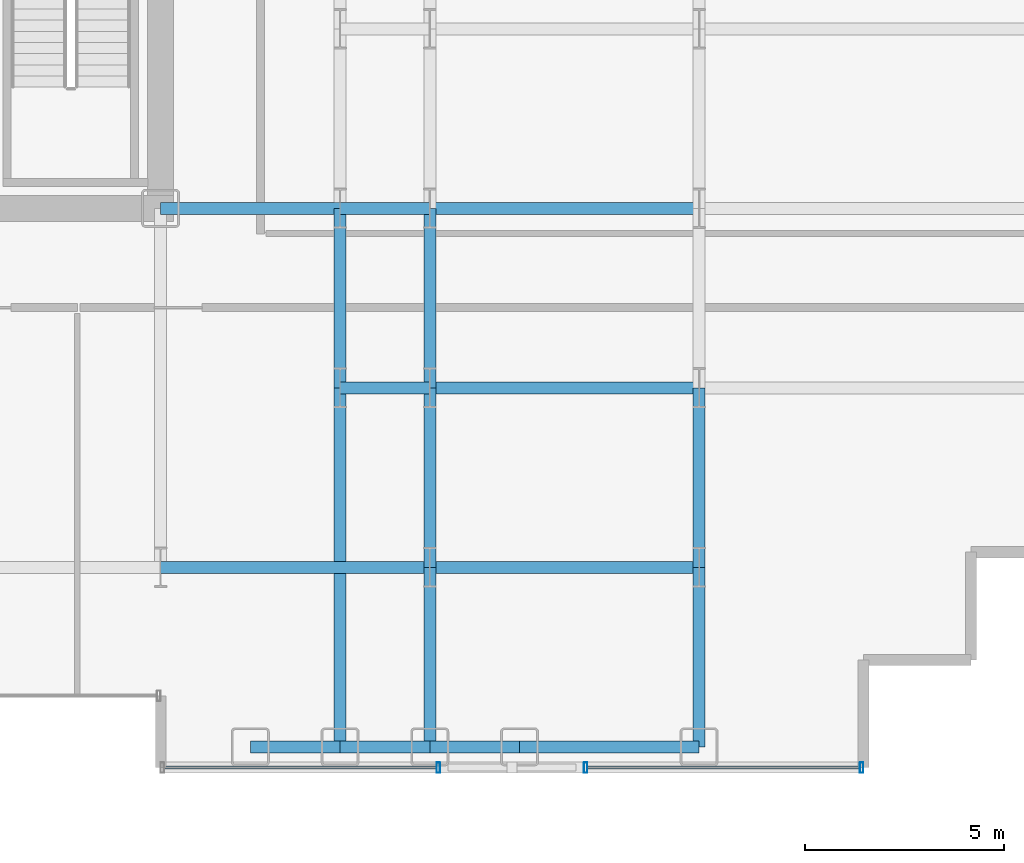
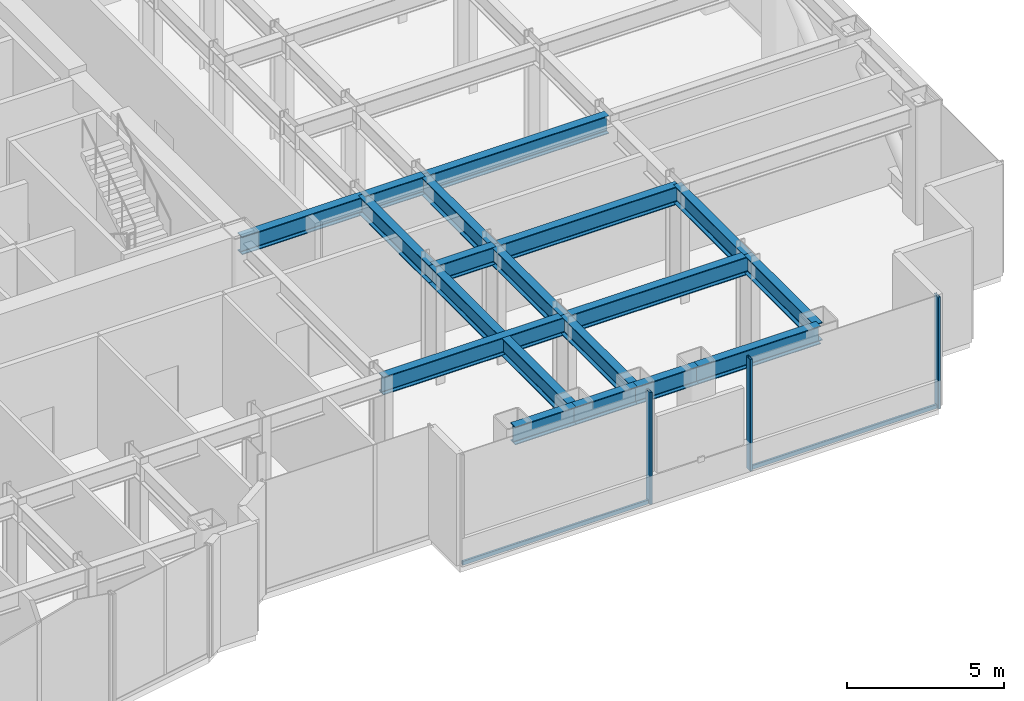
# One storey, part 9 of 30: 18 beams, 5 members, 2 elements without a shape of their own.
"""IFC4 building model written with IfcOpenShell, lengths in metres."""

from ifc_helpers import new_model, si_unit, direction, frame, origin, origin_2d, place, context, subcontext, project, spatial, hollow_rectangle, i_section, extrude, source, transform, mapped, material, layer, layer_set, material_profile, profile_set, type_object, element, aggregate, save


model = new_model("IFC4")

# Units and contexts
model_context = context("Model", 3, precision=1e-05, world=origin(), true_north=direction((0.0, 1.0)))
body_context = subcontext(model_context, "Body", "Model", "MODEL_VIEW")
ifc_project = project(units=[si_unit("LENGTHUNIT", "METRE"), si_unit("AREAUNIT", "SQUARE_METRE"), si_unit("VOLUMEUNIT", "CUBIC_METRE"), si_unit("PLANEANGLEUNIT", "RADIAN"), si_unit("MASSUNIT", "GRAM", prefix="KILO")], contexts=[model_context])

# Site, building, storey
site_placement = place(None, origin())
site = spatial("IfcSite", under=ifc_project, at=site_placement, CompositionType="ELEMENT")
building_placement = place(site_placement, origin())
building = spatial("IfcBuilding", under=site, at=building_placement, Name="Nefas-Gora Pilgrimage Tower", CompositionType="ELEMENT")
storey_placement = place(building_placement, frame((0.0, 0.0, 86.199951171875)))
storey = spatial("IfcBuildingStorey", under=building, at=storey_placement, Name="L20", CompositionType="ELEMENT", Elevation=86.199951171875)

# Beams
ifc_material_1 = material(Name="Steel S355", Category="steel")
ifc_material_profile_1 = material_profile(ifc_material_1, i_section(OverallWidth=0.300048828125, OverallDepth=0.699951171875, WebThickness=0.01708984375, FlangeThickness=0.031982421875, FilletRadius=0.027099609375, at=origin_2d()), Name="HEB 700")
ifc_profile_set_1 = profile_set([ifc_material_profile_1], Name="Steel S355")
beam_type_1 = type_object("IfcBeamType", Name="BM-SPN-HEB600", PredefinedType="SPANDREL", material=ifc_profile_set_1)
shared_shape_1 = source(origin(), body_context, "Body", "SweptSolid", [
    extrude(i_section(OverallWidth=0.300048828125, OverallDepth=0.699951171875, WebThickness=0.01708984375, FlangeThickness=0.031982421875, FilletRadius=0.027099609375, at=origin_2d()), origin(), (0.0, 0.0, 1.0), 4.5),
])
beam_1_placement = place(storey_placement, frame((20.25, -22.5, 4.0), z_axis=(1.0, 0.0, 0.0), x_axis=(0.0, 1.0, 0.0)))
element("IfcBeam", 1, at=beam_1_placement, inside=storey, type_object=beam_type_1, Name="L20 SP-01 beam", PredefinedType="SPANDREL", context=body_context, shape_type="MappedRepresentation", body=[
    mapped(shared_shape_1, transform((0.0, 0.0, 0.0), x_axis=(1.0, 0.0, 0.0), y_axis=(0.0, 1.0, 0.0), z_axis=(0.0, 0.0, 1.0), scale=1.0)),
])
ifc_material_profile_2 = material_profile(ifc_material_1, i_section(OverallWidth=0.300048828125, OverallDepth=0.699951171875, WebThickness=0.01708984375, FlangeThickness=0.031982421875, FilletRadius=0.027099609375, at=origin_2d()), Name="HEB 700")
ifc_profile_set_2 = profile_set([ifc_material_profile_2], Name="Steel S355")
beam_type_2 = type_object("IfcBeamType", Name="BM-GIR-HEB700", PredefinedType="BEAM", material=ifc_profile_set_2)
shared_shape_2 = source(origin(), body_context, "Body", "SweptSolid", [
    extrude(i_section(OverallWidth=0.300048828125, OverallDepth=0.699951171875, WebThickness=0.01708984375, FlangeThickness=0.031982421875, FilletRadius=0.027099609375, at=origin_2d()), origin(), (0.0, 0.0, 1.0), 9.0),
])
beam_2_placement = place(storey_placement, frame((15.75, -22.5, 4.0), z_axis=(0.0, 1.0, 0.0), x_axis=(-1.0, 0.0, 0.0)))
element("IfcBeam", 2, at=beam_2_placement, inside=storey, type_object=beam_type_2, Name="L20 G-02 beam", PredefinedType="BEAM", context=body_context, shape_type="MappedRepresentation", body=[
    mapped(shared_shape_2, transform((0.0, 0.0, 0.0), x_axis=(1.0, 0.0, 0.0), y_axis=(0.0, 1.0, 0.0), z_axis=(0.0, 0.0, 1.0), scale=1.0)),
])
shared_shape_3 = source(origin(), body_context, "Body", "SweptSolid", [
    extrude(i_section(OverallWidth=0.300048828125, OverallDepth=0.699951171875, WebThickness=0.01708984375, FlangeThickness=0.031982421875, FilletRadius=0.027099609375, at=origin_2d()), origin(), (0.0, 0.0, 1.0), 4.5),
])
for number, where, z_axis, x_axis, name in (
    (3, (11.25, -9.0, 4.0), (1.0, 0.0, 0.0), (0.0, 1.0, 0.0), "L20 G-02 beam"),
    (4, (15.75, -13.5, 4.0), (0.0, 1.0, 0.0), (-1.0, 0.0, 0.0), "L20 G-02 beam"),
    (5, (18.0, -22.5, 4.0), (0.0, 1.0, 0.0), (-1.0, 0.0, 0.0), "L20 G-02 beam"),
    (6, (18.0, -18.0, 4.0), (0.0, 1.0, 0.0), (-1.0, 0.0, 0.0), "L20 G-02 beam"),
    (7, (18.0, -13.5, 4.0), (0.0, 1.0, 0.0), (-1.0, 0.0, 0.0), "L20 G-02 beam"),
    (8, (24.75, -22.5, 4.0), (0.0, 1.0, 0.0), (-1.0, 0.0, 0.0), "L20 G-02 beam"),
    (9, (24.75, -18.0, 4.0), (0.0, 1.0, 0.0), (-1.0, 0.0, 0.0), "L20 G-02 beam"),
):
    element("IfcBeam", number, at=place(storey_placement, frame(where, z_axis=z_axis, x_axis=x_axis)), inside=storey, type_object=beam_type_2, Name=name, PredefinedType="BEAM", context=body_context, shape_type="MappedRepresentation", body=[
        mapped(shared_shape_3, transform((0.0, 0.0, 0.0), x_axis=(1.0, 0.0, 0.0), y_axis=(0.0, 1.0, 0.0), z_axis=(0.0, 0.0, 1.0), scale=1.0)),
    ])
shared_shape_4 = source(origin(), body_context, "Body", "SweptSolid", [
    extrude(i_section(OverallWidth=0.300048828125, OverallDepth=0.699951171875, WebThickness=0.01708984375, FlangeThickness=0.031982421875, FilletRadius=0.027099609375, at=origin_2d()), origin(), (0.0, 0.0, 1.0), 6.75),
])
for number, where, z_axis, x_axis, name in (
    (10, (11.25, -18.0, 4.0), (1.0, 0.0, 0.0), (0.0, 1.0, 0.0), "L20 G-02 beam"),
    (11, (18.0, -18.0, 4.0), (1.0, 0.0, 0.0), (0.0, 1.0, 0.0), "L20 G-02 beam"),
    (12, (18.0, -13.5, 4.0), (1.0, 0.0, 0.0), (0.0, 1.0, 0.0), "L20 G-02 beam"),
    (13, (18.0, -9.0, 4.0), (1.0, 0.0, 0.0), (0.0, 1.0, 0.0), "L20 G-02 beam"),
):
    element("IfcBeam", number, at=place(storey_placement, frame(where, z_axis=z_axis, x_axis=x_axis)), inside=storey, type_object=beam_type_2, Name=name, PredefinedType="BEAM", context=body_context, shape_type="MappedRepresentation", body=[
        mapped(shared_shape_4, transform((0.0, 0.0, 0.0), x_axis=(1.0, 0.0, 0.0), y_axis=(0.0, 1.0, 0.0), z_axis=(0.0, 0.0, 1.0), scale=1.0)),
    ])
shared_shape_5 = source(origin(), body_context, "Body", "SweptSolid", [
    extrude(i_section(OverallWidth=0.300048828125, OverallDepth=0.699951171875, WebThickness=0.01708984375, FlangeThickness=0.031982421875, FilletRadius=0.027099609375, at=origin_2d()), origin(), (0.0, 0.0, 1.0), 2.25),
])
for number, where, z_axis, x_axis, name in (
    (14, (13.5, -22.5, 4.0), (1.0, 0.0, 0.0), (0.0, 1.0, 0.0), "L20 SP-01 beam"),
    (15, (15.75, -22.5, 4.0), (1.0, 0.0, 0.0), (0.0, 1.0, 0.0), "L20 SP-01 beam"),
    (16, (18.0, -22.5, 4.0), (1.0, 0.0, 0.0), (0.0, 1.0, 0.0), "L20 SP-01 beam"),
):
    element("IfcBeam", number, at=place(storey_placement, frame(where, z_axis=z_axis, x_axis=x_axis)), inside=storey, type_object=beam_type_1, Name=name, PredefinedType="SPANDREL", context=body_context, shape_type="MappedRepresentation", body=[
        mapped(shared_shape_5, transform((0.0, 0.0, 0.0), x_axis=(1.0, 0.0, 0.0), y_axis=(0.0, 1.0, 0.0), z_axis=(0.0, 0.0, 1.0), scale=1.0)),
    ])
shared_shape_6 = source(origin(), body_context, "Body", "SweptSolid", [
    extrude(i_section(OverallWidth=0.300048828125, OverallDepth=0.699951171875, WebThickness=0.01708984375, FlangeThickness=0.031982421875, FilletRadius=0.027099609375, at=origin_2d()), origin(), (0.0, 0.0, 1.0), 2.25),
])
for number, where, z_axis, x_axis, name in (
    (17, (15.75, -13.5, 4.0), (1.0, 0.0, 0.0), (0.0, 1.0, 0.0), "L20 G-02 beam"),
    (18, (15.75, -9.0, 4.0), (1.0, 0.0, 0.0), (0.0, 1.0, 0.0), "L20 G-02 beam"),
):
    element("IfcBeam", number, at=place(storey_placement, frame(where, z_axis=z_axis, x_axis=x_axis)), inside=storey, type_object=beam_type_2, Name=name, PredefinedType="BEAM", context=body_context, shape_type="MappedRepresentation", body=[
        mapped(shared_shape_6, transform((0.0, 0.0, 0.0), x_axis=(1.0, 0.0, 0.0), y_axis=(0.0, 1.0, 0.0), z_axis=(0.0, 0.0, 1.0), scale=1.0)),
    ])

# Curtain wall, member
ifc_material_2 = material(Name="Dark ceramic-fritted solar-control aluminium-glass curtain wall", Category="aluminium")
ifc_layer = layer(ifc_material_2, 0.219970703125)
ifc_layer_set = layer_set([ifc_layer], Name="Dark ceramic-fritted solar-control aluminium-glass curtain wall")
curtain_wall_type = type_object("IfcCurtainWallType", Name="CW-SYS-2", PredefinedType="NOTDEFINED", material=ifc_layer_set)
curtain_wall_1_placement = place(storey_placement, origin())
curtain_wall_1 = element("IfcCurtainWall", 19, at=curtain_wall_1_placement, inside=storey, type_object=curtain_wall_type, Name="L20 Unitised Curtain Wall CW2", PredefinedType="NOTDEFINED")
ifc_material_3 = material(Name="Anodised architectural aluminium", Category="aluminium")
ifc_material_profile_3 = material_profile(ifc_material_3, hollow_rectangle(XDim=0.090087890625, YDim=0.260009765625, WallThickness=0.006103515625, InnerFilletRadius=0.006103515625, OuterFilletRadius=0.011962890625, at=origin_2d()), Name="ALU MULLION 90x260")
ifc_profile_set_3 = profile_set([ifc_material_profile_3], Name="Anodised architectural aluminium")
member_type_1 = type_object("IfcMemberType", Name="CWM-MUL-2", PredefinedType="MULLION", material=ifc_profile_set_3)
shared_shape_7 = source(origin(), body_context, "Body", "SweptSolid", [
    extrude(hollow_rectangle(XDim=0.090087890625, YDim=0.260009765625, WallThickness=0.006103515625, InnerFilletRadius=0.006103515625, OuterFilletRadius=0.011962890625, at=origin_2d()), origin(), (0.0, 0.0, 1.0), 4.35009765625),
])
member_1_placement = place(storey_placement, frame((18.215087890625, -23.02001953125, 0.0), z_axis=(0.0, 0.0, 1.0), x_axis=(1.0, 0.0, 0.0)))
member_1 = element("IfcMember", 20, at=member_1_placement, type_object=member_type_1, Name="CW2 Mullion 2", PredefinedType="MULLION", context=body_context, shape_type="MappedRepresentation", body=[
    mapped(shared_shape_7, transform((0.0, 0.0, 0.0), x_axis=(1.0, 0.0, 0.0), y_axis=(0.0, 1.0, 0.0), z_axis=(0.0, 0.0, 1.0), scale=1.0)),
])

# Curtain wall, members
curtain_wall_2_placement = place(storey_placement, origin())
curtain_wall_2 = element("IfcCurtainWall", 21, at=curtain_wall_2_placement, inside=storey, type_object=curtain_wall_type, Name="L20 Unitised Curtain Wall CW2", PredefinedType="NOTDEFINED")
member_2_placement = place(storey_placement, frame((21.905029296875, -23.02001953125, 0.0), z_axis=(0.0, 0.0, 1.0), x_axis=(1.0, 0.0, 0.0)))
member_2 = element("IfcMember", 22, at=member_2_placement, type_object=member_type_1, Name="CW2 Mullion 1", PredefinedType="MULLION", context=body_context, shape_type="MappedRepresentation", body=[
    mapped(shared_shape_7, transform((0.0, 0.0, 0.0), x_axis=(1.0, 0.0, 0.0), y_axis=(0.0, 1.0, 0.0), z_axis=(0.0, 0.0, 1.0), scale=1.0)),
])
member_3_placement = place(storey_placement, frame((28.824951171875, -23.02001953125, 0.0), z_axis=(0.0, 0.0, 1.0), x_axis=(1.0, 0.0, 0.0)))
member_3 = element("IfcMember", 23, at=member_3_placement, type_object=member_type_1, Name="CW2 Mullion 2", PredefinedType="MULLION", context=body_context, shape_type="MappedRepresentation", body=[
    mapped(shared_shape_7, transform((0.0, 0.0, 0.0), x_axis=(1.0, 0.0, 0.0), y_axis=(0.0, 1.0, 0.0), z_axis=(0.0, 0.0, 1.0), scale=1.0)),
])

# Member
ifc_material_profile_4 = material_profile(ifc_material_3, hollow_rectangle(XDim=0.080078125, YDim=0.159912109375, WallThickness=0.00439453125, InnerFilletRadius=0.00439453125, OuterFilletRadius=0.009033203125, at=origin_2d()), Name="ALU TRANSOM 80x160")
ifc_profile_set_4 = profile_set([ifc_material_profile_4], Name="Anodised architectural aluminium")
member_type_2 = type_object("IfcMemberType", Name="CWM-TRN-2", PredefinedType="USERDEFINED", material=ifc_profile_set_4)
shared_shape_8 = source(origin(), body_context, "Body", "SweptSolid", [
    extrude(hollow_rectangle(XDim=0.080078125, YDim=0.159912109375, WallThickness=0.00439453125, InnerFilletRadius=0.00439453125, OuterFilletRadius=0.009033203125, at=origin_2d()), origin(), (0.0, 0.0, 1.0), 6.829833984375),
])
member_4_placement = place(storey_placement, frame((11.340087890625, -23.02001953125, 0.050048828125), z_axis=(1.0, 0.0, 0.0), x_axis=(0.0, 1.0, 0.0)))
member_4 = element("IfcMember", 24, at=member_4_placement, type_object=member_type_2, Name="CW2 Spandrel Transom", ObjectType="TRANSOM", PredefinedType="USERDEFINED", context=body_context, shape_type="MappedRepresentation", body=[
    mapped(shared_shape_8, transform((0.0, 0.0, 0.0), x_axis=(1.0, 0.0, 0.0), y_axis=(0.0, 1.0, 0.0), z_axis=(0.0, 0.0, 1.0), scale=1.0)),
])

aggregate(curtain_wall_1, [member_1, member_4])

shared_shape_9 = source(origin(), body_context, "Body", "SweptSolid", [
    extrude(hollow_rectangle(XDim=0.080078125, YDim=0.159912109375, WallThickness=0.00439453125, InnerFilletRadius=0.00439453125, OuterFilletRadius=0.009033203125, at=origin_2d()), origin(), (0.0, 0.0, 1.0), 6.830078125),
])
member_5_placement = place(storey_placement, frame((21.949951171875, -23.02001953125, 0.050048828125), z_axis=(1.0, 0.0, 0.0), x_axis=(0.0, 1.0, 0.0)))
member_5 = element("IfcMember", 25, at=member_5_placement, type_object=member_type_2, Name="CW2 Spandrel Transom", ObjectType="TRANSOM", PredefinedType="USERDEFINED", context=body_context, shape_type="MappedRepresentation", body=[
    mapped(shared_shape_9, transform((0.0, 0.0, 0.0), x_axis=(1.0, 0.0, 0.0), y_axis=(0.0, 1.0, 0.0), z_axis=(0.0, 0.0, 1.0), scale=1.0)),
])

aggregate(curtain_wall_2, [member_2, member_3, member_5])

save(model, "model.ifc")
